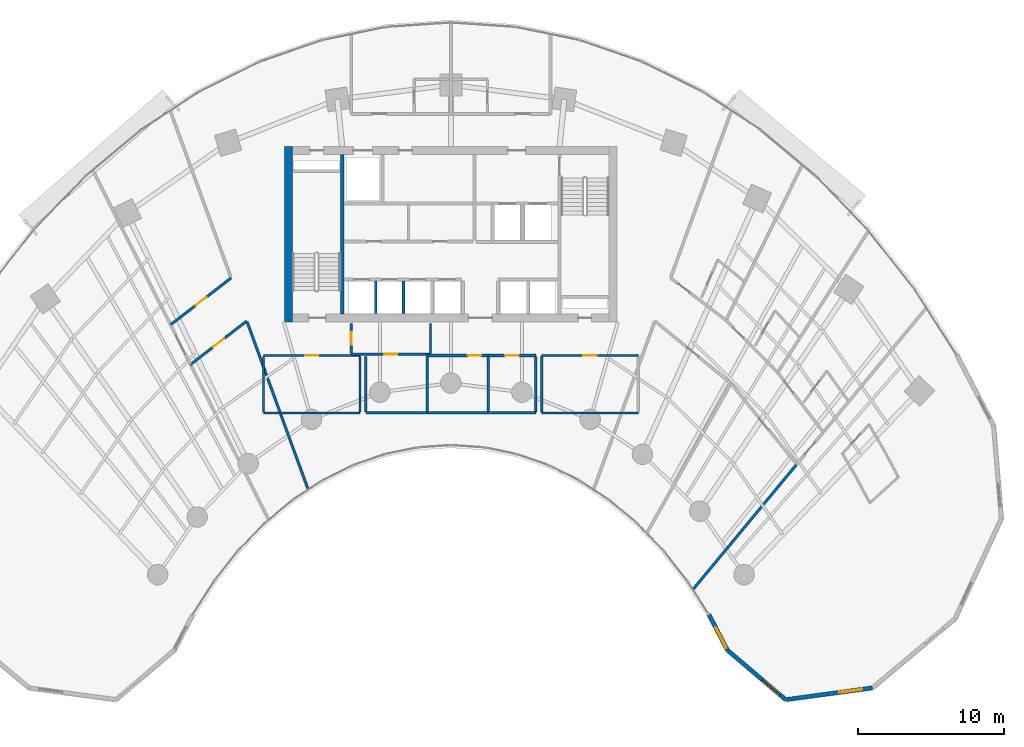
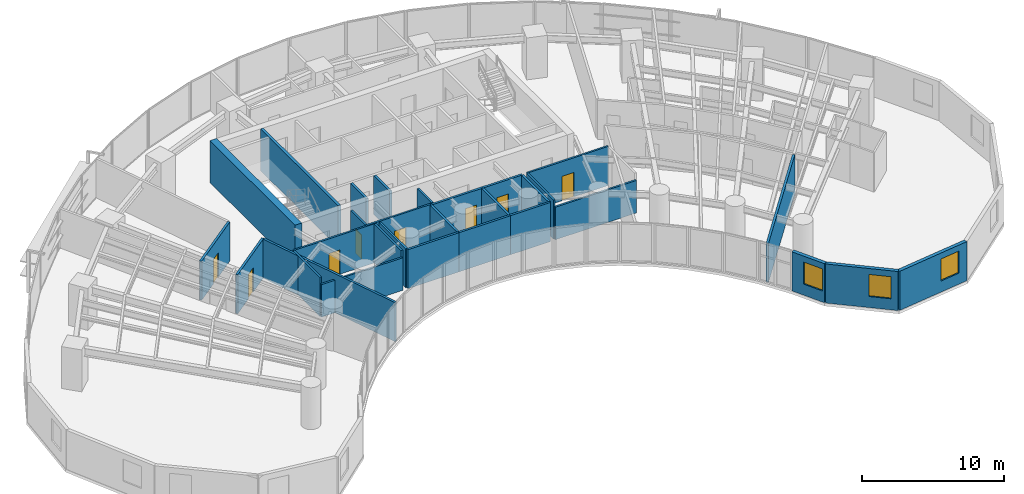
# One storey, part 11 of 17: 30 walls, 8 doors, 3 windows, 11 openings.
"""IFC4 building model written with IfcOpenShell, lengths in metres."""

from ifc_helpers import new_model, si_unit, direction, frame, frame_2d, origin, place, context, subcontext, project, spatial, rectangle, extrude, source, transform, mapped, material, layer, layer_set, type_object, type_shapes, element, fill, save


model = new_model("IFC4")

# Units and contexts
model_context = context("Model", 3, precision=1e-05, world=origin(), true_north=direction((0.0, 1.0)))
body_context = subcontext(model_context, "Body", "Model", "MODEL_VIEW")
ifc_project = project(units=[si_unit("LENGTHUNIT", "METRE"), si_unit("AREAUNIT", "SQUARE_METRE"), si_unit("VOLUMEUNIT", "CUBIC_METRE"), si_unit("PLANEANGLEUNIT", "RADIAN"), si_unit("MASSUNIT", "GRAM", prefix="KILO")], contexts=[model_context])

# Site, building, storey
site_placement = place(None, origin())
site = spatial("IfcSite", under=ifc_project, at=site_placement, CompositionType="ELEMENT")
building_placement = place(site_placement, origin())
building = spatial("IfcBuilding", under=site, at=building_placement, Name="Breltana Convention Tower", CompositionType="ELEMENT")
storey_placement = place(building_placement, frame((0.0, 0.0, 57.0)))
storey = spatial("IfcBuildingStorey", under=building, at=storey_placement, Name="L12", CompositionType="ELEMENT", Elevation=57.0)

# Walls
ifc_material_1 = material(Name="Concrete C60/75", Category="concrete")
ifc_layer_1 = layer(ifc_material_1, 0.550048828125, Name="Concrete C60/75")
ifc_layer_set_1 = layer_set([ifc_layer_1], Name="Concrete C60/75")
wall_type_1 = type_object("IfcWallType", Name="SW-CORE-550", PredefinedType="SHEAR", material=ifc_layer_set_1)
shared_shape_1 = source(origin(), body_context, "Body", "SweptSolid", [
    extrude(rectangle(XDim=12.0, YDim=0.550048828125, at=frame_2d((6.0, 0.0))), origin(), (0.0, 0.0, 1.0), 3.60009765625),
])
wall_1_placement = place(storey_placement, frame((36.925048828125, 60.199951171875, 0.0), z_axis=(0.0, 0.0, 1.0), x_axis=(0.0, 1.0, 0.0)))
element("IfcWall", 1, at=wall_1_placement, inside=storey, type_object=wall_type_1, Name="L12 West Core Shear Wall", PredefinedType="SHEAR", context=body_context, shape_type="MappedRepresentation", body=[
    mapped(shared_shape_1, transform((0.0, 0.0, 0.0), scale=1.0)),
])
ifc_material_2 = material(Name="Concrete C50/60", Category="concrete")
ifc_layer_2 = layer(ifc_material_2, 0.39990234375, Name="Concrete C50/60")
ifc_layer_set_2 = layer_set([ifc_layer_2], Name="Concrete C50/60")
wall_type_2 = type_object("IfcWallType", Name="SW-CORE-400", PredefinedType="SHEAR", material=ifc_layer_set_2)
shared_shape_2 = source(origin(), body_context, "Body", "SweptSolid", [
    extrude(rectangle(XDim=10.89990234375, YDim=0.219970703125, at=frame_2d((5.449951171875, 0.0))), origin(), (0.0, 0.0, 1.0), 3.60009765625),
])
wall_2_placement = place(storey_placement, frame((40.580078125, 60.75, 0.0), z_axis=(0.0, 0.0, 1.0), x_axis=(0.0, 1.0, 0.0)))
element("IfcWall", 2, at=wall_2_placement, inside=storey, type_object=wall_type_2, Name="L12 Core West Stair Spine Wall", PredefinedType="SHEAR", context=body_context, shape_type="MappedRepresentation", body=[
    mapped(shared_shape_2, transform((0.0, 0.0, 0.0), scale=1.0)),
])

# Wall, opening, window
ifc_material_3 = material(Name="Limestone Buff Insulated Wall", Category="masonry")
ifc_layer_3 = layer(ifc_material_3, 0.280029296875, Name="Limestone Buff Insulated Wall")
ifc_layer_set_3 = layer_set([ifc_layer_3], Name="Limestone Buff Insulated Wall")
wall_type_3 = type_object("IfcWallType", Name="WL-EXT-NOSE-280", PredefinedType="SOLIDWALL", material=ifc_layer_set_3)
shared_shape_3 = source(origin(), body_context, "Body", "SweptSolid", [
    extrude(rectangle(XDim=5.96728515625, YDim=0.280029296875, at=frame_2d((2.983642578125, 0.0))), origin(), (0.0, 0.0, 1.0), 3.360107421875),
])
wall_3_placement = place(storey_placement, frame((76.77734375, 35.226806640625, 0.0), z_axis=(0.0, 0.0, 1.0), x_axis=(-0.990927009341, -0.134401124099, 0.0)))
wall_3 = element("IfcWall", 3, at=wall_3_placement, inside=storey, type_object=wall_type_3, Name="L12 curved limestone nose wall E4", PredefinedType="SOLIDWALL", context=body_context, shape_type="MappedRepresentation", body=[
    mapped(shared_shape_3, transform((0.0, 0.0, 0.0), scale=1.0)),
])
opening_1_placement = place(wall_3_placement, frame((0.69189453125, 0.0, 0.949951171875)))
opening_1 = element("IfcOpeningElement", 4, at=opening_1_placement, cuts=wall_3, Name="Opening W-04", PredefinedType="OPENING", context=body_context, shape_type="SweptSolid", body=[
    extrude(rectangle(XDim=1.60009765625, YDim=1.89990234375, at=frame_2d((0.800048828125, 0.949951171875))), frame((0.0, 0.14990234375, 0.0), z_axis=(0.0, -1.0, 0.0), x_axis=(1.0, 0.0, 0.0)), (0.0, 0.0, 1.0), 0.300048828125),
])
ifc_material_4 = material(Name="Glass Low-E Insulated Window", Category="glass")
window_type = type_object("IfcWindowType", Name="WN-NOSE-1600X1900", PartitioningType="SINGLE_PANEL", PredefinedType="WINDOW", material=ifc_material_4)
shared_shape_4 = source(origin(), body_context, "Body", "SweptSolid", [
    extrude(rectangle(XDim=1.60009765625, YDim=1.89990234375, at=frame_2d((0.800048828125, 0.949951171875))), frame((0.0, 0.030029296875, 0.0), z_axis=(0.0, -1.0, 0.0), x_axis=(1.0, 0.0, 0.0)), (0.0, 0.0, 1.0), 0.06005859375),
])
type_shapes(window_type, [shared_shape_4])
window_1_placement = place(opening_1_placement, origin())
window_1 = element("IfcWindow", 5, at=window_1_placement, inside=storey, type_object=window_type, Name="L12 nose window E4", OverallHeight=1.89990234375, OverallWidth=1.60009765625, PartitioningType="SINGLE_PANEL", PredefinedType="WINDOW", context=body_context, shape_type="MappedRepresentation", body=[
    mapped(shared_shape_4, transform((0.0, 0.0, 0.0), scale=1.0)),
])
fill(opening_1, window_1)

shared_shape_5 = source(origin(), body_context, "Body", "SweptSolid", [
    extrude(rectangle(XDim=5.222412109375, YDim=0.280029296875, at=frame_2d((2.611328125, 0.0))), origin(), (0.0, 0.0, 1.0), 3.360107421875),
])
wall_4_placement = place(storey_placement, frame((70.8642578125, 34.4248046875, 0.0), z_axis=(0.0, 0.0, 1.0), x_axis=(-0.761900099546, 0.647694556339, 0.0)))
wall_4 = element("IfcWall", 6, at=wall_4_placement, inside=storey, type_object=wall_type_3, Name="L12 curved limestone nose wall E5", PredefinedType="SOLIDWALL", context=body_context, shape_type="MappedRepresentation", body=[
    mapped(shared_shape_5, transform((0.0, 0.0, 0.0), scale=1.0)),
])
opening_2_placement = place(wall_4_placement, frame((0.505615234375, 0.0, 0.949951171875)))
opening_2 = element("IfcOpeningElement", 7, at=opening_2_placement, cuts=wall_4, Name="Opening W-04", PredefinedType="OPENING", context=body_context, shape_type="SweptSolid", body=[
    extrude(rectangle(XDim=1.60009765625, YDim=1.89990234375, at=frame_2d((0.800048828125, 0.949951171875))), frame((0.0, 0.14990234375, 0.0), z_axis=(0.0, -1.0, 0.0), x_axis=(1.0, 0.0, 0.0)), (0.0, 0.0, 1.0), 0.300048828125),
])
window_2_placement = place(opening_2_placement, origin())
window_2 = element("IfcWindow", 8, at=window_2_placement, inside=storey, type_object=window_type, Name="L12 nose window E5", OverallHeight=1.89990234375, OverallWidth=1.60009765625, PartitioningType="SINGLE_PANEL", PredefinedType="WINDOW", context=body_context, shape_type="MappedRepresentation", body=[
    mapped(shared_shape_4, transform((0.0, 0.0, 0.0), scale=1.0)),
])
fill(opening_2, window_2)

shared_shape_6 = source(origin(), body_context, "Body", "SweptSolid", [
    extrude(rectangle(XDim=2.7353515625, YDim=0.280029296875, at=frame_2d((1.36767578125, 0.0))), origin(), (0.0, 0.0, 1.0), 3.360107421875),
])
wall_5_placement = place(storey_placement, frame((66.88525390625, 37.807373046875, 0.0), z_axis=(0.0, 0.0, 1.0), x_axis=(-0.46179107292, 0.886988728774, 0.0)))
wall_5 = element("IfcWall", 9, at=wall_5_placement, inside=storey, type_object=wall_type_3, Name="L12 curved limestone nose wall E6", PredefinedType="SOLIDWALL", context=body_context, shape_type="MappedRepresentation", body=[
    mapped(shared_shape_6, transform((0.0, 0.0, 0.0), scale=1.0)),
])
opening_3_placement = place(wall_5_placement, frame((0.159912109375, 0.0, 0.949951171875)))
opening_3 = element("IfcOpeningElement", 10, at=opening_3_placement, cuts=wall_5, Name="Opening W-04", PredefinedType="OPENING", context=body_context, shape_type="SweptSolid", body=[
    extrude(rectangle(XDim=1.60009765625, YDim=1.89990234375, at=frame_2d((0.800048828125, 0.949951171875))), frame((0.0, 0.14990234375, 0.0), z_axis=(0.0, -1.0, 0.0), x_axis=(1.0, 0.0, 0.0)), (0.0, 0.0, 1.0), 0.300048828125),
])
window_3_placement = place(opening_3_placement, origin())
window_3 = element("IfcWindow", 11, at=window_3_placement, inside=storey, type_object=window_type, Name="L12 nose window E6", OverallHeight=1.89990234375, OverallWidth=1.60009765625, PartitioningType="SINGLE_PANEL", PredefinedType="WINDOW", context=body_context, shape_type="MappedRepresentation", body=[
    mapped(shared_shape_4, transform((0.0, 0.0, 0.0), scale=1.0)),
])
fill(opening_3, window_3)

# Walls
ifc_material_5 = material(Name="Autoclaved Aerated Concrete Block", Category="concrete")
ifc_layer_4 = layer(ifc_material_5, 0.199951171875, Name="Autoclaved Aerated Concrete Block")
ifc_layer_set_4 = layer_set([ifc_layer_4], Name="Autoclaved Aerated Concrete Block")
wall_type_4 = type_object("IfcWallType", Name="WL-SHAFT-200", PredefinedType="SOLIDWALL", material=ifc_layer_set_4)
shared_shape_7 = source(origin(), body_context, "Body", "SweptSolid", [
    extrude(rectangle(XDim=2.199951171875, YDim=0.199951171875, at=frame_2d((1.10009765625, 0.0))), origin(), (0.0, 0.0, 1.0), 3.360107421875),
])
for number, where, z_axis, x_axis, name in (
    (12, (42.8701171875, 60.800048828125, 0.0), (0.0, 0.0, 1.0), (0.0, 1.0, 0.0), "L12 interior partition W-L12-SH-S-DIV1"),
    (13, (44.77001953125, 60.800048828125, 0.0), (0.0, 0.0, 1.0), (0.0, 1.0, 0.0), "L12 interior partition W-L12-SH-S-DIV2"),
):
    element("IfcWall", number, at=place(storey_placement, frame(where, z_axis=z_axis, x_axis=x_axis)), inside=storey, type_object=wall_type_4, Name=name, PredefinedType="SOLIDWALL", context=body_context, shape_type="MappedRepresentation", body=[
        mapped(shared_shape_7, transform((0.0, 0.0, 0.0), scale=1.0)),
    ])
ifc_material_6 = material(Name="Gypsum Acoustic Drywall Partition")
ifc_layer_5 = layer(ifc_material_6, 0.14990234375, Name="Gypsum Acoustic Drywall Partition")
ifc_layer_set_5 = layer_set([ifc_layer_5], Name="Gypsum Acoustic Drywall Partition")
wall_type_5 = type_object("IfcWallType", Name="WL-PART-150", PredefinedType="PARTITIONING", material=ifc_layer_set_5)
shared_shape_8 = source(origin(), body_context, "Body", "SweptSolid", [
    extrude(rectangle(XDim=6.60009765625, YDim=0.14990234375, at=frame_2d((3.300048828125, 0.0))), origin(), (0.0, 0.0, 1.0), 2.802978515625),
])
for number, where, z_axis, x_axis, name in (
    (14, (35.199951171875, 54.0, 0.0), (0.0, 0.0, 1.0), (1.0, 0.0, 0.0), "L12 interior partition W-L12-HSK-S"),
    (15, (54.199951171875, 54.0, 0.0), (0.0, 0.0, 1.0), (1.0, 0.0, 0.0), "L12 interior partition W-L12-HMT-S"),
):
    element("IfcWall", number, at=place(storey_placement, frame(where, z_axis=z_axis, x_axis=x_axis)), inside=storey, type_object=wall_type_5, Name=name, PredefinedType="PARTITIONING", context=body_context, shape_type="MappedRepresentation", body=[
        mapped(shared_shape_8, transform((0.0, 0.0, 0.0), scale=1.0)),
    ])

# Wall, opening, door
shared_shape_9 = source(origin(), body_context, "Body", "SweptSolid", [
    extrude(rectangle(XDim=6.60009765625, YDim=0.14990234375, at=frame_2d((3.300048828125, 0.0))), origin(), (0.0, 0.0, 1.0), 3.360107421875),
])
wall_6_placement = place(storey_placement, frame((35.199951171875, 57.919921875, 0.0), z_axis=(0.0, 0.0, 1.0), x_axis=(1.0, 0.0, 0.0)))
wall_6 = element("IfcWall", 16, at=wall_6_placement, inside=storey, type_object=wall_type_5, Name="L12 interior partition W-L12-HSK-N", PredefinedType="PARTITIONING", context=body_context, shape_type="MappedRepresentation", body=[
    mapped(shared_shape_9, transform((0.0, 0.0, 0.0), scale=1.0)),
])
opening_4_placement = place(wall_6_placement, frame((2.85009765625, 0.0, 0.0)))
opening_4 = element("IfcOpeningElement", 17, at=opening_4_placement, cuts=wall_6, Name="Opening D-18", PredefinedType="OPENING", context=body_context, shape_type="SweptSolid", body=[
    extrude(rectangle(XDim=0.89990234375, YDim=2.10009765625, at=frame_2d((0.449951171875, 1.050048828125))), frame((0.0, 0.0849609375, 0.0), z_axis=(0.0, -1.0, 0.0), x_axis=(1.0, 0.0, 0.0)), (0.0, 0.0, 1.0), 0.169921875),
])
ifc_material_7 = material(Name="Steel Riser Fire Door", Category="steel")
door_type_1 = type_object("IfcDoorType", Name="DR-FD60-900", OperationType="NOTDEFINED", PredefinedType="DOOR", material=ifc_material_7)
shared_shape_10 = source(origin(), body_context, "Body", "SweptSolid", [
    extrude(rectangle(XDim=0.89990234375, YDim=2.10009765625, at=frame_2d((0.449951171875, 1.050048828125))), frame((0.0, 0.02490234375, 0.0), z_axis=(0.0, -1.0, 0.0), x_axis=(1.0, 0.0, 0.0)), (0.0, 0.0, 1.0), 0.050048828125),
])
type_shapes(door_type_1, [shared_shape_10])
door_1_placement = place(opening_4_placement, origin())
door_1 = element("IfcDoor", 18, at=door_1_placement, inside=storey, type_object=door_type_1, Name="L12 interior door D-L12-HSK", OperationType="SINGLE_SWING_RIGHT", OverallHeight=2.10009765625, OverallWidth=0.89990234375, PredefinedType="DOOR", context=body_context, shape_type="MappedRepresentation", body=[
    mapped(shared_shape_10, transform((0.0, 0.0, 0.0), scale=1.0)),
])
fill(opening_4, door_1)

wall_7_placement = place(storey_placement, frame((54.199951171875, 57.919921875, 0.0), z_axis=(0.0, 0.0, 1.0), x_axis=(1.0, 0.0, 0.0)))
wall_7 = element("IfcWall", 19, at=wall_7_placement, inside=storey, type_object=wall_type_5, Name="L12 interior partition W-L12-HMT-N", PredefinedType="PARTITIONING", context=body_context, shape_type="MappedRepresentation", body=[
    mapped(shared_shape_9, transform((0.0, 0.0, 0.0), scale=1.0)),
])
opening_5_placement = place(wall_7_placement, frame((2.824951171875, 0.0, 0.0)))
opening_5 = element("IfcOpeningElement", 20, at=opening_5_placement, cuts=wall_7, Name="Opening D-17", PredefinedType="OPENING", context=body_context, shape_type="SweptSolid", body=[
    extrude(rectangle(XDim=0.949951171875, YDim=2.10009765625, at=frame_2d((0.47509765625, 1.050048828125))), frame((0.0, 0.0849609375, 0.0), z_axis=(0.0, -1.0, 0.0), x_axis=(1.0, 0.0, 0.0)), (0.0, 0.0, 1.0), 0.169921875),
])
ifc_material_8 = material(Name="Timber Oak Veneer Door", Category="wood")
door_type_2 = type_object("IfcDoorType", Name="DR-INT-950", OperationType="NOTDEFINED", PredefinedType="DOOR", material=ifc_material_8)
shared_shape_11 = source(origin(), body_context, "Body", "SweptSolid", [
    extrude(rectangle(XDim=0.949951171875, YDim=2.10009765625, at=frame_2d((0.47509765625, 1.050048828125))), frame((0.0, 0.02490234375, 0.0), z_axis=(0.0, -1.0, 0.0), x_axis=(1.0, 0.0, 0.0)), (0.0, 0.0, 1.0), 0.050048828125),
])
type_shapes(door_type_2, [shared_shape_11])
door_2_placement = place(opening_5_placement, origin())
door_2 = element("IfcDoor", 21, at=door_2_placement, inside=storey, type_object=door_type_2, Name="L12 interior door D-L12-HMT", OperationType="SINGLE_SWING_RIGHT", OverallHeight=2.10009765625, OverallWidth=0.949951171875, PredefinedType="DOOR", context=body_context, shape_type="MappedRepresentation", body=[
    mapped(shared_shape_11, transform((0.0, 0.0, 0.0), scale=1.0)),
])
fill(opening_5, door_2)

# Walls
shared_shape_12 = source(origin(), body_context, "Body", "SweptSolid", [
    extrude(rectangle(XDim=3.78515625, YDim=0.14990234375, at=frame_2d((1.892578125, 0.0))), origin(), (0.0, 0.0, 1.0), 3.360107421875),
])
for number, where, z_axis, x_axis, name in (
    (22, (35.199951171875, 54.0673828125, 0.0), (0.0, 0.0, 1.0), (0.0, 1.0, 0.0), "L12 interior partition W-L12-HSK-W"),
    (23, (41.800048828125, 54.0673828125, 0.0), (0.0, 0.0, 1.0), (0.0, 1.0, 0.0), "L12 interior partition W-L12-HSK-E"),
    (24, (54.199951171875, 54.0673828125, 0.0), (0.0, 0.0, 1.0), (0.0, 1.0, 0.0), "L12 interior partition W-L12-HMT-W"),
):
    element("IfcWall", number, at=place(storey_placement, frame(where, z_axis=z_axis, x_axis=x_axis)), inside=storey, type_object=wall_type_5, Name=name, PredefinedType="PARTITIONING", context=body_context, shape_type="MappedRepresentation", body=[
        mapped(shared_shape_12, transform((0.0, 0.0, 0.0), scale=1.0)),
    ])
ifc_material_9 = material(Name="Cement Board Wet-Area Partition")
ifc_layer_6 = layer(ifc_material_9, 0.175048828125, Name="Cement Board Wet-Area Partition")
ifc_layer_set_6 = layer_set([ifc_layer_6], Name="Cement Board Wet-Area Partition")
wall_type_6 = type_object("IfcWallType", Name="WL-WET-175", PredefinedType="PARTITIONING", material=ifc_layer_set_6)
shared_shape_13 = source(origin(), body_context, "Body", "SweptSolid", [
    extrude(rectangle(XDim=4.176025390625, YDim=0.175048828125, at=frame_2d((2.087890625, 0.0))), origin(), (0.0, 0.0, 1.0), 3.360107421875),
])
for number, where, z_axis, x_axis, name in (
    (25, (42.199951171875, 54.0, 0.0), (0.0, 0.0, 1.0), (1.0, 0.0, 0.0), "L12 interior partition W-L12-WCM-S"),
    (26, (46.3759765625, 54.0, 0.0), (0.0, 0.0, 1.0), (1.0, 0.0, 0.0), "L12 interior partition W-L12-WCF-S"),
):
    element("IfcWall", number, at=place(storey_placement, frame(where, z_axis=z_axis, x_axis=x_axis)), inside=storey, type_object=wall_type_6, Name=name, PredefinedType="PARTITIONING", context=body_context, shape_type="MappedRepresentation", body=[
        mapped(shared_shape_13, transform((0.0, 0.0, 0.0), scale=1.0)),
    ])

# Wall, opening, door
ifc_material_10 = material(Name="Moisture-Resistant Gypsum Chase Wall")
ifc_layer_7 = layer(ifc_material_10, 0.179931640625, Name="Moisture-Resistant Gypsum Chase Wall")
ifc_layer_set_7 = layer_set([ifc_layer_7], Name="Moisture-Resistant Gypsum Chase Wall")
wall_type_7 = type_object("IfcWallType", Name="WL-PLUMB-180", PredefinedType="PLUMBINGWALL", material=ifc_layer_set_7)
shared_shape_14 = source(origin(), body_context, "Body", "SweptSolid", [
    extrude(rectangle(XDim=4.176025390625, YDim=0.179931640625, at=frame_2d((2.087890625, 0.0))), origin(), (0.0, 0.0, 1.0), 3.360107421875),
])
wall_8_placement = place(storey_placement, frame((46.3759765625, 57.919921875, 0.0), z_axis=(0.0, 0.0, 1.0), x_axis=(1.0, 0.0, 0.0)))
wall_8 = element("IfcWall", 27, at=wall_8_placement, inside=storey, type_object=wall_type_7, Name="L12 interior partition W-L12-WCF-N", PredefinedType="PLUMBINGWALL", context=body_context, shape_type="MappedRepresentation", body=[
    mapped(shared_shape_14, transform((0.0, 0.0, 0.0), scale=1.0)),
])
opening_6_placement = place(wall_8_placement, frame((2.7880859375, 0.0, 0.0)))
opening_6 = element("IfcOpeningElement", 28, at=opening_6_placement, cuts=wall_8, Name="Opening D-19", PredefinedType="OPENING", context=body_context, shape_type="SweptSolid", body=[
    extrude(rectangle(XDim=0.89990234375, YDim=2.080078125, at=frame_2d((0.449951171875, 1.0400390625))), frame((0.0, 0.10009765625, 0.0), z_axis=(0.0, -1.0, 0.0), x_axis=(1.0, 0.0, 0.0)), (0.0, 0.0, 1.0), 0.199951171875),
])
ifc_material_11 = material(Name="Timber Moisture-Resistant Door", Category="wood")
door_type_3 = type_object("IfcDoorType", Name="DR-WC-900", OperationType="NOTDEFINED", PredefinedType="DOOR", material=ifc_material_11)
shared_shape_15 = source(origin(), body_context, "Body", "SweptSolid", [
    extrude(rectangle(XDim=0.89990234375, YDim=2.080078125, at=frame_2d((0.449951171875, 1.0400390625))), frame((0.0, 0.02490234375, 0.0), z_axis=(0.0, -1.0, 0.0), x_axis=(1.0, 0.0, 0.0)), (0.0, 0.0, 1.0), 0.050048828125),
])
type_shapes(door_type_3, [shared_shape_15])
door_3_placement = place(opening_6_placement, origin())
door_3 = element("IfcDoor", 29, at=door_3_placement, inside=storey, type_object=door_type_3, Name="L12 interior door D-L12-WCF", OperationType="SINGLE_SWING_RIGHT", OverallHeight=2.080078125, OverallWidth=0.89990234375, PredefinedType="DOOR", context=body_context, shape_type="MappedRepresentation", body=[
    mapped(shared_shape_15, transform((0.0, 0.0, 0.0), scale=1.0)),
])
fill(opening_6, door_3)

# Walls
shared_shape_16 = source(origin(), body_context, "Body", "SweptSolid", [
    extrude(rectangle(XDim=3.7626953125, YDim=0.175048828125, at=frame_2d((1.88134765625, 0.0))), origin(), (0.0, 0.0, 1.0), 3.360107421875),
])
for number, where, z_axis, x_axis, name in (
    (30, (42.199951171875, 54.07861328125, 0.0), (0.0, 0.0, 1.0), (0.0, 1.0, 0.0), "L12 interior partition W-L12-WCM-W"),
    (31, (46.3759765625, 54.07861328125, 0.0), (0.0, 0.0, 1.0), (0.0, 1.0, 0.0), "L12 interior partition W-L12-WCM-E"),
    (32, (50.552001953125, 54.07861328125, 0.0), (0.0, 0.0, 1.0), (0.0, 1.0, 0.0), "L12 interior partition W-L12-WCF-E"),
    (33, (53.800048828125, 54.07861328125, 0.0), (0.0, 0.0, 1.0), (0.0, 1.0, 0.0), "L12 interior partition W-L12-WCA-E"),
):
    element("IfcWall", number, at=place(storey_placement, frame(where, z_axis=z_axis, x_axis=x_axis)), inside=storey, type_object=wall_type_6, Name=name, PredefinedType="PARTITIONING", context=body_context, shape_type="MappedRepresentation", body=[
        mapped(shared_shape_16, transform((0.0, 0.0, 0.0), scale=1.0)),
    ])
shared_shape_17 = source(origin(), body_context, "Body", "SweptSolid", [
    extrude(rectangle(XDim=3.248046875, YDim=0.175048828125, at=frame_2d((1.6240234375, 0.0))), origin(), (0.0, 0.0, 1.0), 3.360107421875),
])
wall_9_placement = place(storey_placement, frame((50.552001953125, 54.0, 0.0), z_axis=(0.0, 0.0, 1.0), x_axis=(1.0, 0.0, 0.0)))
element("IfcWall", 34, at=wall_9_placement, inside=storey, type_object=wall_type_6, Name="L12 interior partition W-L12-WCA-S", PredefinedType="PARTITIONING", context=body_context, shape_type="MappedRepresentation", body=[
    mapped(shared_shape_17, transform((0.0, 0.0, 0.0), scale=1.0)),
])

# Wall, opening, door
shared_shape_18 = source(origin(), body_context, "Body", "SweptSolid", [
    extrude(rectangle(XDim=3.248046875, YDim=0.179931640625, at=frame_2d((1.6240234375, 0.0))), origin(), (0.0, 0.0, 1.0), 3.360107421875),
])
wall_10_placement = place(storey_placement, frame((50.552001953125, 57.919921875, 0.0), z_axis=(0.0, 0.0, 1.0), x_axis=(1.0, 0.0, 0.0)))
wall_10 = element("IfcWall", 35, at=wall_10_placement, inside=storey, type_object=wall_type_7, Name="L12 interior partition W-L12-WCA-N", PredefinedType="PLUMBINGWALL", context=body_context, shape_type="MappedRepresentation", body=[
    mapped(shared_shape_18, transform((0.0, 0.0, 0.0), scale=1.0)),
])
opening_7_placement = place(wall_10_placement, frame((1.14892578125, 0.0, 0.0)))
opening_7 = element("IfcOpeningElement", 36, at=opening_7_placement, cuts=wall_10, Name="Opening D-16", PredefinedType="OPENING", context=body_context, shape_type="SweptSolid", body=[
    extrude(rectangle(XDim=0.949951171875, YDim=2.1201171875, at=frame_2d((0.47509765625, 1.06005859375))), frame((0.0, 0.10009765625, 0.0), z_axis=(0.0, -1.0, 0.0), x_axis=(1.0, 0.0, 0.0)), (0.0, 0.0, 1.0), 0.199951171875),
])
ifc_material_12 = material(Name="Timber Laminate Accessible Door", Category="wood")
door_type_4 = type_object("IfcDoorType", Name="DR-ACC-950", OperationType="NOTDEFINED", PredefinedType="DOOR", material=ifc_material_12)
shared_shape_19 = source(origin(), body_context, "Body", "SweptSolid", [
    extrude(rectangle(XDim=0.949951171875, YDim=2.1201171875, at=frame_2d((0.47509765625, 1.06005859375))), frame((0.0, 0.02490234375, 0.0), z_axis=(0.0, -1.0, 0.0), x_axis=(1.0, 0.0, 0.0)), (0.0, 0.0, 1.0), 0.050048828125),
])
type_shapes(door_type_4, [shared_shape_19])
door_4_placement = place(opening_7_placement, origin())
door_4 = element("IfcDoor", 37, at=door_4_placement, inside=storey, type_object=door_type_4, Name="L12 interior door D-L12-WCA", OperationType="SINGLE_SWING_LEFT", OverallHeight=2.1201171875, OverallWidth=0.949951171875, PredefinedType="DOOR", context=body_context, shape_type="MappedRepresentation", body=[
    mapped(shared_shape_19, transform((0.0, 0.0, 0.0), scale=1.0)),
])
fill(opening_7, door_4)

shared_shape_20 = source(origin(), body_context, "Body", "SweptSolid", [
    extrude(rectangle(XDim=5.400146484375, YDim=0.14990234375, at=frame_2d((2.7001953125, 0.0))), origin(), (0.0, 0.0, 1.0), 3.360107421875),
])
wall_11_placement = place(storey_placement, frame((41.199951171875, 58.0, 0.0), z_axis=(0.0, 0.0, 1.0), x_axis=(1.0, 0.0, 0.0)))
wall_11 = element("IfcWall", 38, at=wall_11_placement, inside=storey, type_object=wall_type_5, Name="L12 interior partition W-L12-CRSC-S", PredefinedType="PARTITIONING", context=body_context, shape_type="MappedRepresentation", body=[
    mapped(shared_shape_20, transform((0.0, 0.0, 0.0), scale=1.0)),
])
opening_8_placement = place(wall_11_placement, frame((2.25, 0.0, 0.0)))
opening_8 = element("IfcOpeningElement", 39, at=opening_8_placement, cuts=wall_11, Name="Opening D-19", PredefinedType="OPENING", context=body_context, shape_type="SweptSolid", body=[
    extrude(rectangle(XDim=0.89990234375, YDim=2.080078125, at=frame_2d((0.449951171875, 1.0400390625))), frame((0.0, 0.0849609375, 0.0), z_axis=(0.0, -1.0, 0.0), x_axis=(1.0, 0.0, 0.0)), (0.0, 0.0, 1.0), 0.169921875),
])
door_5_placement = place(opening_8_placement, origin())
door_5 = element("IfcDoor", 40, at=door_5_placement, inside=storey, type_object=door_type_3, Name="L12 interior door D-L12-WCM", OperationType="SINGLE_SWING_LEFT", OverallHeight=2.080078125, OverallWidth=0.89990234375, PredefinedType="DOOR", context=body_context, shape_type="MappedRepresentation", body=[
    mapped(shared_shape_15, transform((0.0, 0.0, 0.0), scale=1.0)),
])
fill(opening_8, door_5)

shared_shape_21 = source(origin(), body_context, "Body", "SweptSolid", [
    extrude(rectangle(XDim=2.03271484375, YDim=0.14990234375, at=frame_2d((1.016357421875, 0.0))), origin(), (0.0, 0.0, 1.0), 3.360107421875),
])
wall_12_placement = place(storey_placement, frame((41.199951171875, 58.0673828125, 0.0), z_axis=(0.0, 0.0, 1.0), x_axis=(0.0, 1.0, 0.0)))
wall_12 = element("IfcWall", 41, at=wall_12_placement, inside=storey, type_object=wall_type_5, Name="L12 interior partition W-L12-CRSC-W", PredefinedType="PARTITIONING", context=body_context, shape_type="MappedRepresentation", body=[
    mapped(shared_shape_21, transform((0.0, 0.0, 0.0), scale=1.0)),
])
opening_9_placement = place(wall_12_placement, frame((0.59130859375, 0.0, 0.0)))
opening_9 = element("IfcOpeningElement", 42, at=opening_9_placement, cuts=wall_12, Name="Opening D-20", PredefinedType="OPENING", context=body_context, shape_type="SweptSolid", body=[
    extrude(rectangle(XDim=0.85009765625, YDim=2.10009765625, at=frame_2d((0.425048828125, 1.050048828125))), frame((0.0, 0.0849609375, 0.0), z_axis=(0.0, -1.0, 0.0), x_axis=(1.0, 0.0, 0.0)), (0.0, 0.0, 1.0), 0.169921875),
])
ifc_material_13 = material(Name="Steel Closet Fire Door", Category="steel")
door_type_5 = type_object("IfcDoorType", Name="DR-FD60-850", OperationType="NOTDEFINED", PredefinedType="DOOR", material=ifc_material_13)
shared_shape_22 = source(origin(), body_context, "Body", "SweptSolid", [
    extrude(rectangle(XDim=0.85009765625, YDim=2.10009765625, at=frame_2d((0.425048828125, 1.050048828125))), frame((0.0, 0.02490234375, 0.0), z_axis=(0.0, -1.0, 0.0), x_axis=(1.0, 0.0, 0.0)), (0.0, 0.0, 1.0), 0.050048828125),
])
type_shapes(door_type_5, [shared_shape_22])
door_6_placement = place(opening_9_placement, origin())
door_6 = element("IfcDoor", 43, at=door_6_placement, inside=storey, type_object=door_type_5, Name="L12 interior door D-L12-CRSC", OperationType="SINGLE_SWING_LEFT", OverallHeight=2.10009765625, OverallWidth=0.85009765625, PredefinedType="DOOR", context=body_context, shape_type="MappedRepresentation", body=[
    mapped(shared_shape_22, transform((0.0, 0.0, 0.0), scale=1.0)),
])
fill(opening_9, door_6)

# Wall
wall_13_placement = place(storey_placement, frame((46.60009765625, 58.0673828125, 0.0), z_axis=(0.0, 0.0, 1.0), x_axis=(0.0, 1.0, 0.0)))
element("IfcWall", 44, at=wall_13_placement, inside=storey, type_object=wall_type_5, Name="L12 interior partition W-L12-CRSC-E", PredefinedType="PARTITIONING", context=body_context, shape_type="MappedRepresentation", body=[
    mapped(shared_shape_21, transform((0.0, 0.0, 0.0), scale=1.0)),
])

# Wall, opening, door
shared_shape_23 = source(origin(), body_context, "Body", "SweptSolid", [
    extrude(rectangle(XDim=5.227294921875, YDim=0.179931640625, at=frame_2d((2.61376953125, 0.0))), origin(), (0.0, 0.0, 1.0), 3.360107421875),
])
wall_14_placement = place(storey_placement, frame((28.864501953125, 60.015380859375, 0.0), z_axis=(0.0, 0.0, 1.0), x_axis=(0.790908912792, 0.61193389485, 0.0)))
wall_14 = element("IfcWall", 45, at=wall_14_placement, inside=storey, type_object=wall_type_7, Name="L12 interior partition W-L12-SPAO1-COR", PredefinedType="PLUMBINGWALL", context=body_context, shape_type="MappedRepresentation", body=[
    mapped(shared_shape_23, transform((0.0, 0.0, 0.0), scale=1.0)),
])
opening_10_placement = place(wall_14_placement, frame((2.138671875, 0.0, 0.0)))
opening_10 = element("IfcOpeningElement", 46, at=opening_10_placement, cuts=wall_14, Name="Opening D-17", PredefinedType="OPENING", context=body_context, shape_type="SweptSolid", body=[
    extrude(rectangle(XDim=0.949951171875, YDim=2.10009765625, at=frame_2d((0.47509765625, 1.050048828125))), frame((0.0, 0.10009765625, 0.0), z_axis=(0.0, -1.0, 0.0), x_axis=(1.0, 0.0, 0.0)), (0.0, 0.0, 1.0), 0.199951171875),
])
door_7_placement = place(opening_10_placement, origin())
door_7 = element("IfcDoor", 47, at=door_7_placement, inside=storey, type_object=door_type_2, Name="L12 interior door D-L12-SPAO1", OperationType="SINGLE_SWING_RIGHT", OverallHeight=2.10009765625, OverallWidth=0.949951171875, PredefinedType="DOOR", context=body_context, shape_type="MappedRepresentation", body=[
    mapped(shared_shape_11, transform((0.0, 0.0, 0.0), scale=1.0)),
])
fill(opening_10, door_7)

shared_shape_24 = source(origin(), body_context, "Body", "SweptSolid", [
    extrude(rectangle(XDim=4.854736328125, YDim=0.179931640625, at=frame_2d((2.42724609375, 0.0))), origin(), (0.0, 0.0, 1.0), 3.360107421875),
])
wall_15_placement = place(storey_placement, frame((30.228759765625, 57.3046875, 0.0), z_axis=(0.0, 0.0, 1.0), x_axis=(0.790930965655, 0.611905391028, 0.0)))
wall_15 = element("IfcWall", 48, at=wall_15_placement, inside=storey, type_object=wall_type_7, Name="L12 interior partition W-L12-SPAI1-COR", PredefinedType="PLUMBINGWALL", context=body_context, shape_type="MappedRepresentation", body=[
    mapped(shared_shape_24, transform((0.0, 0.0, 0.0), scale=1.0)),
])
opening_11_placement = place(wall_15_placement, frame((1.952392578125, 0.0, 0.0)))
opening_11 = element("IfcOpeningElement", 49, at=opening_11_placement, cuts=wall_15, Name="Opening D-17", PredefinedType="OPENING", context=body_context, shape_type="SweptSolid", body=[
    extrude(rectangle(XDim=0.949951171875, YDim=2.10009765625, at=frame_2d((0.47509765625, 1.050048828125))), frame((0.0, 0.10009765625, 0.0), z_axis=(0.0, -1.0, 0.0), x_axis=(1.0, 0.0, 0.0)), (0.0, 0.0, 1.0), 0.199951171875),
])
door_8_placement = place(opening_11_placement, origin())
door_8 = element("IfcDoor", 50, at=door_8_placement, inside=storey, type_object=door_type_2, Name="L12 interior door D-L12-SPAI1", OperationType="SINGLE_SWING_LEFT", OverallHeight=2.10009765625, OverallWidth=0.949951171875, PredefinedType="DOOR", context=body_context, shape_type="MappedRepresentation", body=[
    mapped(shared_shape_11, transform((0.0, 0.0, 0.0), scale=1.0)),
])
fill(opening_11, door_8)

# Walls
shared_shape_25 = source(origin(), body_context, "Body", "SweptSolid", [
    extrude(rectangle(XDim=12.1962890625, YDim=0.179931640625, at=frame_2d((6.09814453125, 0.0))), origin(), (0.0, 0.0, 1.0), 3.360107421875),
])
wall_16_placement = place(storey_placement, frame((38.257568359375, 48.766357421875, 0.0), z_axis=(0.0, 0.0, 1.0), x_axis=(-0.342022711534, 0.939691686031, 0.0)))
element("IfcWall", 51, at=wall_16_placement, inside=storey, type_object=wall_type_7, Name="L12 interior partition W-L12-SPAI1-RB", PredefinedType="PLUMBINGWALL", context=body_context, shape_type="MappedRepresentation", body=[
    mapped(shared_shape_25, transform((0.0, 0.0, 0.0), scale=1.0)),
])
shared_shape_26 = source(origin(), body_context, "Body", "SweptSolid", [
    extrude(rectangle(XDim=11.05322265625, YDim=0.179931640625, at=frame_2d((5.526611328125, 0.0))), origin(), (0.0, 0.0, 1.0), 3.360107421875),
])
wall_17_placement = place(storey_placement, frame((64.533935546875, 41.948974609375, 0.0), z_axis=(0.0, 0.0, 1.0), x_axis=(0.638131235571, 0.769927611005, 0.0)))
element("IfcWall", 52, at=wall_17_placement, inside=storey, type_object=wall_type_7, Name="L12 interior partition W-L12-HE05-RB", PredefinedType="PLUMBINGWALL", context=body_context, shape_type="MappedRepresentation", body=[
    mapped(shared_shape_26, transform((0.0, 0.0, 0.0), scale=1.0)),
])

save(model, "model.ifc")
